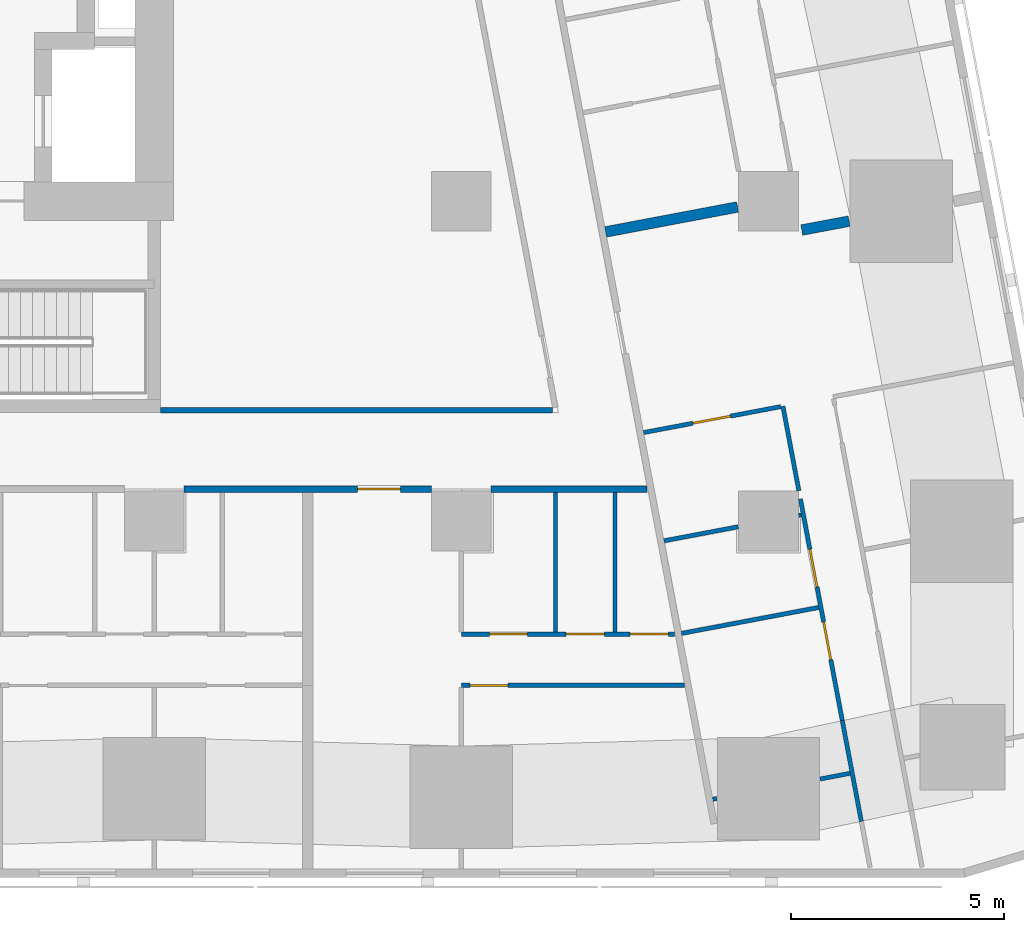
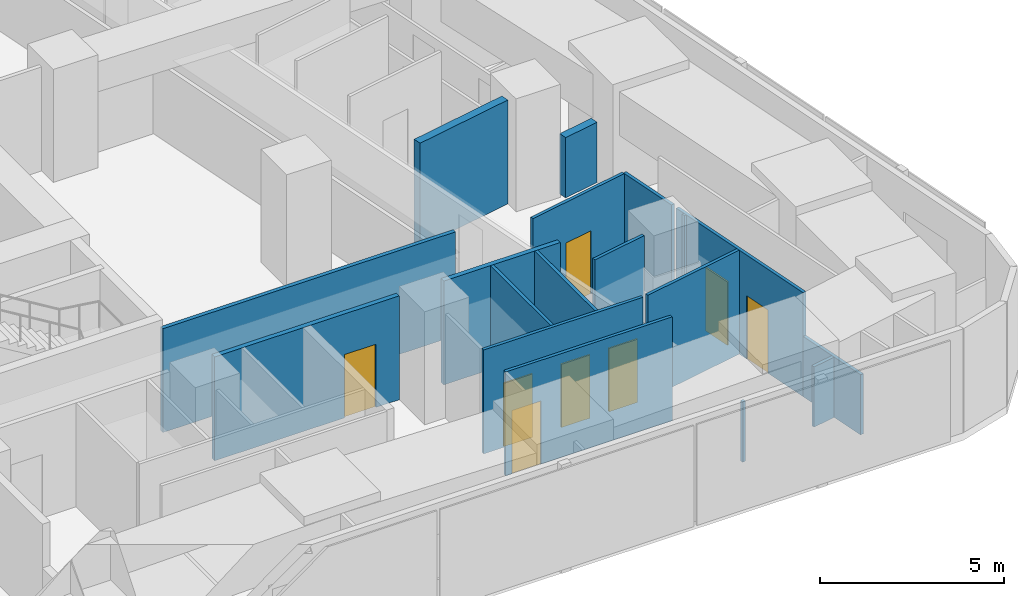
# One storey, part 3 of 10: 18 walls, 8 doors, 8 openings.
"""IFC4 building model written with IfcOpenShell, lengths in metres."""

from ifc_helpers import new_model, si_unit, direction, frame, frame_2d, origin, place, context, subcontext, project, spatial, rectangle, extrude, material, layer, layer_set, type_object, element, fill, save


model = new_model("IFC4")

# Units and contexts
model_context = context("Model", 3, precision=1e-05, world=origin(), true_north=direction((0.0, 1.0)))
body_context = subcontext(model_context, "Body", "Model", "MODEL_VIEW")
ifc_project = project(units=[si_unit("LENGTHUNIT", "METRE"), si_unit("AREAUNIT", "SQUARE_METRE"), si_unit("VOLUMEUNIT", "CUBIC_METRE"), si_unit("PLANEANGLEUNIT", "RADIAN"), si_unit("MASSUNIT", "GRAM", prefix="KILO")], contexts=[model_context])

# Site, building, storey
site_placement = place(None, origin())
site = spatial("IfcSite", under=ifc_project, at=site_placement, CompositionType="ELEMENT")
building_placement = place(site_placement, origin())
building = spatial("IfcBuilding", under=site, at=building_placement, Name="Sheger Commons Tower", CompositionType="ELEMENT")
storey_placement = place(building_placement, frame((0.0, 0.0, 242.449951171875)))
storey = spatial("IfcBuildingStorey", under=building, at=storey_placement, Name="L62", CompositionType="ELEMENT", Elevation=242.449951171875)

# Wall
ifc_material_1 = material(Name="Hollow concrete block masonry, skimmed both sides", Category="masonry")
ifc_layer_1 = layer(ifc_material_1, 0.14990234375)
ifc_layer_set_1 = layer_set([ifc_layer_1], Name="CORRIDOR WALL 150")
wall_type_1 = type_object("IfcWallType", Name="CORRIDOR WALL 150", PredefinedType="SOLIDWALL", material=ifc_layer_set_1)
wall_1_placement = place(storey_placement, frame((40.35498046875, 8.25, 0.0), z_axis=(0.0, 0.0, 1.0), x_axis=(-1.0, 0.0, 0.0)))
element("IfcWall", 1, at=wall_1_placement, inside=storey, type_object=wall_type_1, Name="Corridor wall L62", PredefinedType="SOLIDWALL", context=body_context, shape_type="SweptSolid", body=[
    extrude(rectangle(XDim=3.654052734375, YDim=0.14990234375, at=frame_2d((1.8271484375, 0.0))), origin(), (0.0, 0.0, 1.0), 3.449951171875),
])

# Wall, opening, door
wall_2_placement = place(storey_placement, frame((35.299072265625, 8.25, 0.0), z_axis=(0.0, 0.0, 1.0), x_axis=(-1.0, 0.0, 0.0)))
wall_2 = element("IfcWall", 2, at=wall_2_placement, inside=storey, type_object=wall_type_1, Name="Corridor wall L62", PredefinedType="SOLIDWALL", context=body_context, shape_type="SweptSolid", body=[
    extrude(rectangle(XDim=5.798095703125, YDim=0.14990234375, at=frame_2d((2.89892578125, 0.0))), origin(), (0.0, 0.0, 1.0), 3.449951171875),
])
opening_1_placement = place(wall_2_placement, frame((0.72802734375, 0.0, 0.0)))
opening_1 = element("IfcOpeningElement", 3, at=opening_1_placement, cuts=wall_2, Name="Opening D1", PredefinedType="OPENING", context=body_context, shape_type="SweptSolid", body=[
    extrude(rectangle(XDim=1.0, YDim=2.10009765625, at=frame_2d((0.5, 1.050048828125))), frame((0.0, 0.0849609375, 0.0), z_axis=(0.0, -1.0, 0.0), x_axis=(1.0, 0.0, 0.0)), (0.0, 0.0, 1.0), 0.169921875),
])
ifc_material_2 = material(Name="Steel door set, fire rated", Category="steel")
door_type_1 = type_object("IfcDoorType", Name="FLAT ENTRANCE DOOR 1000x2100", OperationType="NOTDEFINED", PredefinedType="DOOR", material=ifc_material_2)
door_1_placement = place(opening_1_placement, origin())
door_1 = element("IfcDoor", 4, at=door_1_placement, inside=storey, type_object=door_type_1, Name="Flat entrance door", OperationType="SINGLE_SWING_LEFT", OverallHeight=2.10009765625, OverallWidth=1.0, PredefinedType="DOOR", context=body_context, shape_type="SweptSolid", body=[
    extrude(rectangle(XDim=1.0, YDim=2.10009765625, at=frame_2d((0.5, 1.050048828125))), frame((0.0, 0.02490234375, 0.0), z_axis=(0.0, -1.0, 0.0), x_axis=(1.0, 0.0, 0.0)), (0.0, 0.0, 1.0), 0.050048828125),
])
fill(opening_1, door_1)

# Walls
ifc_material_3 = material(Name="Dense concrete block masonry, plastered both sides (separating wall between flats)", Category="masonry")
ifc_layer_2 = layer(ifc_material_3, 0.25)
ifc_layer_set_2 = layer_set([ifc_layer_2], Name="DEMISING WALL 250")
wall_type_2 = type_object("IfcWallType", Name="DEMISING WALL 250", PredefinedType="SOLIDWALL", material=ifc_layer_set_2)
wall_3_placement = place(storey_placement, frame((45.090087890625, 14.531005859375, 0.0), z_axis=(0.0, 0.0, 1.0), x_axis=(-0.982737354171, -0.185006196431, 0.0)))
element("IfcWall", 5, at=wall_3_placement, inside=storey, type_object=wall_type_2, Name="Demising wall L62", PredefinedType="SOLIDWALL", context=body_context, shape_type="SweptSolid", body=[
    extrude(rectangle(XDim=1.129638671875, YDim=0.25, at=frame_2d((0.56494140625, 0.0))), origin(), (0.0, 0.0, 1.0), 2.0),
])
wall_4_placement = place(storey_placement, frame((42.47607421875, 14.863037109375, 0.0), z_axis=(0.0, 0.0, 1.0), x_axis=(-0.982638716117, -0.185529387398, 0.0)))
element("IfcWall", 6, at=wall_4_placement, inside=storey, type_object=wall_type_2, Name="Demising wall L62", PredefinedType="SOLIDWALL", context=body_context, shape_type="SweptSolid", body=[
    extrude(rectangle(XDim=3.147705078125, YDim=0.25, at=frame_2d((1.57373046875, 0.0))), origin(), (0.0, 0.0, 1.0), 3.449951171875),
])

# Wall, opening, door
ifc_material_4 = material(Name="Gypsum board on steel studs", Category="steel")
ifc_layer_3 = layer(ifc_material_4, 0.10009765625)
ifc_layer_set_3 = layer_set([ifc_layer_3], Name="PARTITION 100")
wall_type_3 = type_object("IfcWallType", Name="PARTITION 100", PredefinedType="PARTITIONING", material=ifc_layer_set_3)
wall_5_placement = place(storey_placement, frame((41.22900390625, 3.64990234375, 0.0), z_axis=(0.0, 0.0, 1.0), x_axis=(-1.0, 0.0, 0.0)))
wall_5 = element("IfcWall", 7, at=wall_5_placement, inside=storey, type_object=wall_type_3, Name="Partition L62", PredefinedType="PARTITIONING", context=body_context, shape_type="SweptSolid", body=[
    extrude(rectangle(XDim=5.22900390625, YDim=0.10009765625, at=frame_2d((2.614501953125, 0.0))), origin(), (0.0, 0.0, 1.0), 3.449951171875),
])
opening_2_placement = place(wall_5_placement, frame((4.12890625, 0.0, 0.0)))
opening_2 = element("IfcOpeningElement", 8, at=opening_2_placement, cuts=wall_5, Name="Opening D2", PredefinedType="OPENING", context=body_context, shape_type="SweptSolid", body=[
    extrude(rectangle(XDim=0.89990234375, YDim=2.10009765625, at=frame_2d((0.449951171875, 1.050048828125))), frame((0.0, 0.06005859375, 0.0), z_axis=(0.0, -1.0, 0.0), x_axis=(1.0, 0.0, 0.0)), (0.0, 0.0, 1.0), 0.1201171875),
])
ifc_material_5 = material(Name="Timber door set", Category="wood")
door_type_2 = type_object("IfcDoorType", Name="INTERNAL DOOR 900x2100", OperationType="NOTDEFINED", PredefinedType="DOOR", material=ifc_material_5)
door_2_placement = place(opening_2_placement, origin())
door_2 = element("IfcDoor", 9, at=door_2_placement, inside=storey, type_object=door_type_2, Name="Main bedroom door", OperationType="SINGLE_SWING_LEFT", OverallHeight=2.10009765625, OverallWidth=0.89990234375, PredefinedType="DOOR", context=body_context, shape_type="SweptSolid", body=[
    extrude(rectangle(XDim=0.89990234375, YDim=2.10009765625, at=frame_2d((0.449951171875, 1.050048828125))), frame((0.0, 0.02490234375, 0.0), z_axis=(0.0, -1.0, 0.0), x_axis=(1.0, 0.0, 0.0)), (0.0, 0.0, 1.0), 0.050048828125),
])
fill(opening_2, door_2)

# Wall, openings, doors
wall_6_placement = place(storey_placement, frame((41.001953125, 4.85009765625, 0.0), z_axis=(0.0, 0.0, 1.0), x_axis=(-1.0, 0.0, 0.0)))
wall_6 = element("IfcWall", 10, at=wall_6_placement, inside=storey, type_object=wall_type_3, Name="Partition L62", PredefinedType="PARTITIONING", context=body_context, shape_type="SweptSolid", body=[
    extrude(rectangle(XDim=5.001953125, YDim=0.10009765625, at=frame_2d((2.5009765625, 0.0))), origin(), (0.0, 0.0, 1.0), 3.449951171875),
])
opening_3_placement = place(wall_6_placement, frame((3.447021484375, 0.0, 0.0)))
opening_3 = element("IfcOpeningElement", 11, at=opening_3_placement, cuts=wall_6, Name="Opening D2", PredefinedType="OPENING", context=body_context, shape_type="SweptSolid", body=[
    extrude(rectangle(XDim=0.89990234375, YDim=2.10009765625, at=frame_2d((0.449951171875, 1.050048828125))), frame((0.0, 0.06005859375, 0.0), z_axis=(0.0, -1.0, 0.0), x_axis=(1.0, 0.0, 0.0)), (0.0, 0.0, 1.0), 0.1201171875),
])
opening_4_placement = place(wall_6_placement, frame((0.14990234375, 0.0, 0.0)))
opening_4 = element("IfcOpeningElement", 12, at=opening_4_placement, cuts=wall_6, Name="Opening D2", PredefinedType="OPENING", context=body_context, shape_type="SweptSolid", body=[
    extrude(rectangle(XDim=0.89990234375, YDim=2.10009765625, at=frame_2d((0.449951171875, 1.050048828125))), frame((0.0, 0.06005859375, 0.0), z_axis=(0.0, -1.0, 0.0), x_axis=(1.0, 0.0, 0.0)), (0.0, 0.0, 1.0), 0.1201171875),
])
opening_5_placement = place(wall_6_placement, frame((1.64697265625, 0.0, 0.0)))
opening_5 = element("IfcOpeningElement", 13, at=opening_5_placement, cuts=wall_6, Name="Opening D2", PredefinedType="OPENING", context=body_context, shape_type="SweptSolid", body=[
    extrude(rectangle(XDim=0.89990234375, YDim=2.10009765625, at=frame_2d((0.449951171875, 1.050048828125))), frame((0.0, 0.06005859375, 0.0), z_axis=(0.0, -1.0, 0.0), x_axis=(1.0, 0.0, 0.0)), (0.0, 0.0, 1.0), 0.1201171875),
])
door_3_placement = place(opening_3_placement, origin())
door_3 = element("IfcDoor", 14, at=door_3_placement, inside=storey, type_object=door_type_2, Name="Bathroom door", OperationType="SINGLE_SWING_LEFT", OverallHeight=2.10009765625, OverallWidth=0.89990234375, PredefinedType="DOOR", context=body_context, shape_type="SweptSolid", body=[
    extrude(rectangle(XDim=0.89990234375, YDim=2.10009765625, at=frame_2d((0.449951171875, 1.050048828125))), frame((0.0, 0.02490234375, 0.0), z_axis=(0.0, -1.0, 0.0), x_axis=(1.0, 0.0, 0.0)), (0.0, 0.0, 1.0), 0.050048828125),
])
fill(opening_3, door_3)
door_4_placement = place(opening_4_placement, origin())
door_4 = element("IfcDoor", 15, at=door_4_placement, inside=storey, type_object=door_type_2, Name="Laundry room door", OperationType="SINGLE_SWING_RIGHT", OverallHeight=2.10009765625, OverallWidth=0.89990234375, PredefinedType="DOOR", context=body_context, shape_type="SweptSolid", body=[
    extrude(rectangle(XDim=0.89990234375, YDim=2.10009765625, at=frame_2d((0.449951171875, 1.050048828125))), frame((0.0, 0.02490234375, 0.0), z_axis=(0.0, -1.0, 0.0), x_axis=(1.0, 0.0, 0.0)), (0.0, 0.0, 1.0), 0.050048828125),
])
fill(opening_4, door_4)
door_5_placement = place(opening_5_placement, origin())
door_5 = element("IfcDoor", 16, at=door_5_placement, inside=storey, type_object=door_type_2, Name="Store door", OperationType="SINGLE_SWING_RIGHT", OverallHeight=2.10009765625, OverallWidth=0.89990234375, PredefinedType="DOOR", context=body_context, shape_type="SweptSolid", body=[
    extrude(rectangle(XDim=0.89990234375, YDim=2.10009765625, at=frame_2d((0.449951171875, 1.050048828125))), frame((0.0, 0.02490234375, 0.0), z_axis=(0.0, -1.0, 0.0), x_axis=(1.0, 0.0, 0.0)), (0.0, 0.0, 1.0), 0.050048828125),
])
fill(opening_5, door_5)

# Walls
for number, where, z_axis, x_axis, name in (
    (17, (39.60009765625, 4.89990234375, 0.0), (0.0, 0.0, 1.0), (0.0, 1.0, 0.0), "Partition L62"),
    (18, (38.2099609375, 4.89990234375, 0.0), (0.0, 0.0, 1.0), (0.0, 1.0, 0.0), "Partition L62"),
):
    element("IfcWall", number, at=place(storey_placement, frame(where, z_axis=z_axis, x_axis=x_axis)), inside=storey, type_object=wall_type_3, Name=name, PredefinedType="PARTITIONING", context=body_context, shape_type="SweptSolid", body=[
        extrude(rectangle(XDim=3.275146484375, YDim=0.10009765625, at=frame_2d((1.6376953125, 0.0))), origin(), (0.0, 0.0, 1.0), 3.449951171875),
    ])
wall_7_placement = place(storey_placement, frame((43.5390625, 10.19189453125, 0.0), z_axis=(0.0, 0.0, 1.0), x_axis=(0.185443145218, -0.982654995353, 0.0)))
element("IfcWall", 19, at=wall_7_placement, inside=storey, type_object=wall_type_3, Name="Partition L62", PredefinedType="PARTITIONING", context=body_context, shape_type="SweptSolid", body=[
    extrude(rectangle(XDim=2.016845703125, YDim=0.10009765625, at=frame_2d((1.00830078125, 0.0))), origin(), (0.0, 0.0, 1.0), 3.449951171875),
])

# Wall, openings, doors
wall_8_placement = place(storey_placement, frame((43.948974609375, 8.02001953125, 0.0), z_axis=(0.0, 0.0, 1.0), x_axis=(0.185656792073, -0.982614652627, 0.0)))
wall_8 = element("IfcWall", 20, at=wall_8_placement, inside=storey, type_object=wall_type_3, Name="Partition L62", PredefinedType="PARTITIONING", context=body_context, shape_type="SweptSolid", body=[
    extrude(rectangle(XDim=5.2890625, YDim=0.10009765625, at=frame_2d((2.64453125, 0.0))), origin(), (0.0, 0.0, 1.0), 3.449951171875),
])
opening_6_placement = place(wall_8_placement, frame((1.199951171875, 0.0, 0.0)))
opening_6 = element("IfcOpeningElement", 21, at=opening_6_placement, cuts=wall_8, Name="Opening D2", PredefinedType="OPENING", context=body_context, shape_type="SweptSolid", body=[
    extrude(rectangle(XDim=0.89990234375, YDim=2.10009765625, at=frame_2d((0.449951171875, 1.050048828125))), frame((0.0, 0.06005859375, 0.0), z_axis=(0.0, -1.0, 0.0), x_axis=(1.0, 0.0, 0.0)), (0.0, 0.0, 1.0), 0.1201171875),
])
opening_7_placement = place(wall_8_placement, frame((2.93505859375, 0.0, 0.0)))
opening_7 = element("IfcOpeningElement", 22, at=opening_7_placement, cuts=wall_8, Name="Opening D2", PredefinedType="OPENING", context=body_context, shape_type="SweptSolid", body=[
    extrude(rectangle(XDim=0.89990234375, YDim=2.10009765625, at=frame_2d((0.449951171875, 1.050048828125))), frame((0.0, 0.06005859375, 0.0), z_axis=(0.0, -1.0, 0.0), x_axis=(1.0, 0.0, 0.0)), (0.0, 0.0, 1.0), 0.1201171875),
])
door_6_placement = place(opening_6_placement, origin())
door_6 = element("IfcDoor", 23, at=door_6_placement, inside=storey, type_object=door_type_2, Name="Bathroom door", OperationType="SINGLE_SWING_LEFT", OverallHeight=2.10009765625, OverallWidth=0.89990234375, PredefinedType="DOOR", context=body_context, shape_type="SweptSolid", body=[
    extrude(rectangle(XDim=0.89990234375, YDim=2.10009765625, at=frame_2d((0.449951171875, 1.050048828125))), frame((0.0, 0.02490234375, 0.0), z_axis=(0.0, -1.0, 0.0), x_axis=(1.0, 0.0, 0.0)), (0.0, 0.0, 1.0), 0.050048828125),
])
fill(opening_6, door_6)
door_7_placement = place(opening_7_placement, origin())
door_7 = element("IfcDoor", 24, at=door_7_placement, inside=storey, type_object=door_type_2, Name="Store door", OperationType="SINGLE_SWING_RIGHT", OverallHeight=2.10009765625, OverallWidth=0.89990234375, PredefinedType="DOOR", context=body_context, shape_type="SweptSolid", body=[
    extrude(rectangle(XDim=0.89990234375, YDim=2.10009765625, at=frame_2d((0.449951171875, 1.050048828125))), frame((0.0, 0.02490234375, 0.0), z_axis=(0.0, -1.0, 0.0), x_axis=(1.0, 0.0, 0.0)), (0.0, 0.0, 1.0), 0.050048828125),
])
fill(opening_7, door_7)

# Wall
wall_9_placement = place(storey_placement, frame((44.930908203125, 2.822998046875, 0.0), z_axis=(0.0, 0.0, 1.0), x_axis=(0.185631845838, -0.982619365681, 0.0)))
element("IfcWall", 25, at=wall_9_placement, inside=storey, type_object=wall_type_3, Name="Partition L62", PredefinedType="PARTITIONING", context=body_context, shape_type="SweptSolid", body=[
    extrude(rectangle(XDim=2.40283203125, YDim=0.10009765625, at=frame_2d((1.201416015625, 0.0))), origin(), (0.0, 0.0, 1.0), 2.0),
])

# Wall, opening, door
wall_10_placement = place(storey_placement, frame((43.489990234375, 10.18310546875, 0.0), z_axis=(0.0, 0.0, 1.0), x_axis=(-0.982607026909, -0.185697147715, 0.0)))
wall_10 = element("IfcWall", 26, at=wall_10_placement, inside=storey, type_object=wall_type_3, Name="Partition L62", PredefinedType="PARTITIONING", context=body_context, shape_type="SweptSolid", body=[
    extrude(rectangle(XDim=3.27490234375, YDim=0.10009765625, at=frame_2d((1.637451171875, 0.0))), origin(), (0.0, 0.0, 1.0), 3.449951171875),
])
opening_8_placement = place(wall_10_placement, frame((1.199951171875, 0.0, 0.0)))
opening_8 = element("IfcOpeningElement", 27, at=opening_8_placement, cuts=wall_10, Name="Opening D2", PredefinedType="OPENING", context=body_context, shape_type="SweptSolid", body=[
    extrude(rectangle(XDim=0.89990234375, YDim=2.10009765625, at=frame_2d((0.449951171875, 1.050048828125))), frame((0.0, 0.06005859375, 0.0), z_axis=(0.0, -1.0, 0.0), x_axis=(1.0, 0.0, 0.0)), (0.0, 0.0, 1.0), 0.1201171875),
])
door_8_placement = place(opening_8_placement, origin())
door_8 = element("IfcDoor", 28, at=door_8_placement, inside=storey, type_object=door_type_2, Name="Store door", OperationType="SINGLE_SWING_LEFT", OverallHeight=2.10009765625, OverallWidth=0.89990234375, PredefinedType="DOOR", context=body_context, shape_type="SweptSolid", body=[
    extrude(rectangle(XDim=0.89990234375, YDim=2.10009765625, at=frame_2d((0.449951171875, 1.050048828125))), frame((0.0, 0.02490234375, 0.0), z_axis=(0.0, -1.0, 0.0), x_axis=(1.0, 0.0, 0.0)), (0.0, 0.0, 1.0), 0.050048828125),
])
fill(opening_8, door_8)

# Walls
wall_11_placement = place(storey_placement, frame((43.968994140625, 7.64599609375, 0.0), z_axis=(0.0, 0.0, 1.0), x_axis=(-0.983147034646, -0.182816597351, 0.0)))
element("IfcWall", 29, at=wall_11_placement, inside=storey, type_object=wall_type_3, Name="Partition L62", PredefinedType="PARTITIONING", context=body_context, shape_type="SweptSolid", body=[
    extrude(rectangle(XDim=0.06005859375, YDim=0.10009765625, at=frame_2d((0.030029296875, 0.0))), origin(), (0.0, 0.0, 1.0), 3.449951171875),
])
wall_12_placement = place(storey_placement, frame((42.489990234375, 7.366943359375, 0.0), z_axis=(0.0, 0.0, 1.0), x_axis=(-0.982585223885, -0.185812480215, 0.0)))
element("IfcWall", 30, at=wall_12_placement, inside=storey, type_object=wall_type_3, Name="Partition L62", PredefinedType="PARTITIONING", context=body_context, shape_type="SweptSolid", body=[
    extrude(rectangle(XDim=1.769775390625, YDim=0.10009765625, at=frame_2d((0.884765625, 0.0))), origin(), (0.0, 0.0, 1.0), 3.449951171875),
])
wall_13_placement = place(storey_placement, frame((45.114013671875, 1.5869140625, 0.0), z_axis=(0.0, 0.0, 1.0), x_axis=(-0.982671022916, -0.185358195723, 0.0)))
element("IfcWall", 31, at=wall_13_placement, inside=storey, type_object=wall_type_3, Name="Partition L62", PredefinedType="PARTITIONING", context=body_context, shape_type="SweptSolid", body=[
    extrude(rectangle(XDim=0.716552734375, YDim=0.10009765625, at=frame_2d((0.3583984375, 0.0))), origin(), (0.0, 0.0, 1.0), 2.0),
])
wall_14_placement = place(storey_placement, frame((41.989990234375, 0.9970703125, 0.0), z_axis=(0.0, 0.0, 1.0), x_axis=(-0.982382747416, -0.186880008506, 0.0)))
element("IfcWall", 32, at=wall_14_placement, inside=storey, type_object=wall_type_3, Name="Partition L62", PredefinedType="PARTITIONING", context=body_context, shape_type="SweptSolid", body=[
    extrude(rectangle(XDim=0.0966796875, YDim=0.10009765625, at=frame_2d((0.04833984375, 0.0))), origin(), (0.0, 0.0, 1.0), 2.0),
])
wall_15_placement = place(storey_placement, frame((44.37890625, 5.47412109375, 0.0), z_axis=(0.0, 0.0, 1.0), x_axis=(-0.982607026909, -0.185697147715, 0.0)))
element("IfcWall", 33, at=wall_15_placement, inside=storey, type_object=wall_type_3, Name="Partition L62", PredefinedType="PARTITIONING", context=body_context, shape_type="SweptSolid", body=[
    extrude(rectangle(XDim=3.27490234375, YDim=0.10009765625, at=frame_2d((1.637451171875, 0.0))), origin(), (0.0, 0.0, 1.0), 3.449951171875),
])
ifc_material_6 = material(Name="Gypsum board on steel studs, two layers each side, fire rated", Category="steel")
ifc_layer_4 = layer(ifc_material_6, 0.125)
ifc_layer_set_4 = layer_set([ifc_layer_4], Name="SERVICE WALL 125")
wall_type_4 = type_object("IfcWallType", Name="SERVICE WALL 125", PredefinedType="PARTITIONING", material=ifc_layer_set_4)
wall_16_placement = place(storey_placement, frame((28.949951171875, 10.10009765625, 0.0), z_axis=(0.0, 0.0, 1.0), x_axis=(1.0, 0.0, 0.0)))
element("IfcWall", 34, at=wall_16_placement, inside=storey, type_object=wall_type_4, Name="Service room wall L62", PredefinedType="PARTITIONING", context=body_context, shape_type="SweptSolid", body=[
    extrude(rectangle(XDim=9.18798828125, YDim=0.125, at=frame_2d((4.593994140625, 0.0))), origin(), (0.0, 0.0, 1.0), 3.449951171875),
])

save(model, "model.ifc")
